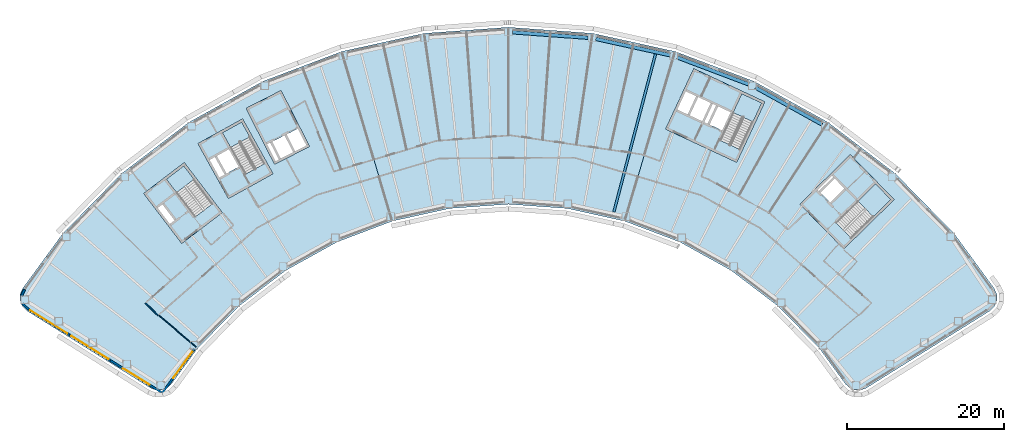
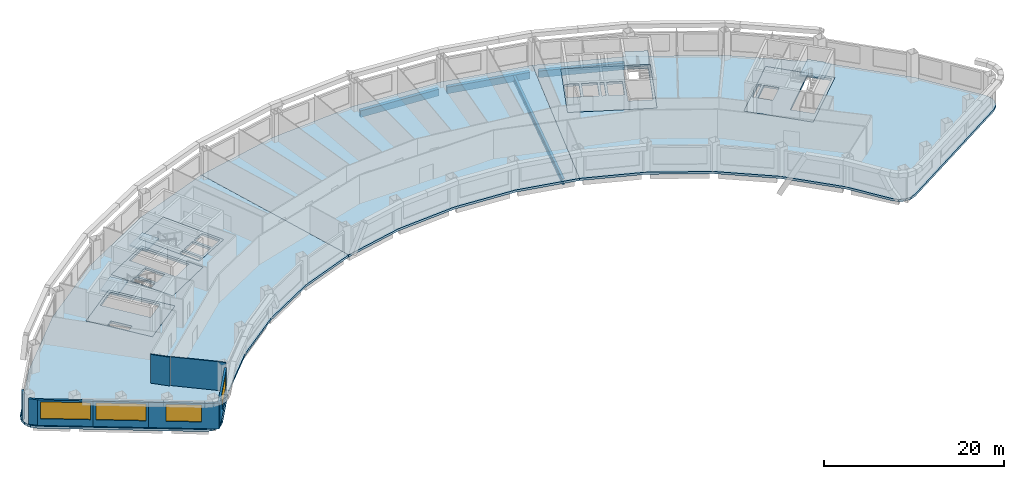
# One storey, part 2 of 11: 12 slabs, 8 walls, 5 beams, 4 windows, 4 openings, 4 elements without a shape of their own.
"""IFC4 building model written with IfcOpenShell, lengths in metres."""

from ifc_helpers import new_model, si_unit, direction, frame, frame_2d, origin, origin_2d, place, context, subcontext, project, spatial, polyline, rectangle, hollow_rectangle, i_section, outline, extrude, material, layer, layer_set, material_profile, profile_set, type_object, element, fill, aggregate, save


model = new_model("IFC4")

# Units and contexts
model_context = context("Model", 3, precision=1e-05, world=origin(), true_north=direction((0.0, 1.0)))
body_context = subcontext(model_context, "Body", "Model", "MODEL_VIEW")
ifc_project = project(units=[si_unit("LENGTHUNIT", "METRE"), si_unit("AREAUNIT", "SQUARE_METRE"), si_unit("VOLUMEUNIT", "CUBIC_METRE"), si_unit("PLANEANGLEUNIT", "RADIAN"), si_unit("MASSUNIT", "GRAM", prefix="KILO")], contexts=[model_context])

# Site, building, storey
site_placement = place(None, origin())
site = spatial("IfcSite", under=ifc_project, at=site_placement, CompositionType="ELEMENT")
building_placement = place(site_placement, origin())
building = spatial("IfcBuilding", under=site, at=building_placement, Name="Tuul Gate Civic Tower", CompositionType="ELEMENT")
storey_placement = place(building_placement, frame((0.0, 0.0, 142.39990234375)))
storey = spatial("IfcBuildingStorey", under=building, at=storey_placement, Name="Level 32", CompositionType="ELEMENT", Elevation=142.39990234375)

# Beams
ifc_material_1 = material(Name="Steel S355", Category="steel")
ifc_material_profile_1 = material_profile(ifc_material_1, i_section(OverallWidth=0.300048828125, OverallDepth=0.800048828125, WebThickness=0.013916015625, FlangeThickness=0.02490234375, at=origin_2d()), Name="PG800x300x14x25")
ifc_profile_set_1 = profile_set([ifc_material_profile_1], Name="Steel S355")
beam_type_1 = type_object("IfcBeamType", Name="STR-FLOOR BEAM-PG800x300x14x25", PredefinedType="BEAM", material=ifc_profile_set_1)
beam_1_placement = place(storey_placement, frame((18.8125, -13.7099609375, -0.699951171875), z_axis=(0.255004720301, 0.96693980817, 0.0), x_axis=(-0.96693980817, 0.255004720301, 0.0)))
element("IfcBeam", 1, at=beam_1_placement, inside=storey, type_object=beam_type_1, Name="Floor beam", PredefinedType="BEAM", context=body_context, shape_type="SweptSolid", body=[
    extrude(i_section(OverallWidth=0.300048828125, OverallDepth=0.800048828125, WebThickness=0.013916015625, FlangeThickness=0.02490234375, at=origin_2d()), origin(), (0.0, 0.0, 1.0), 20.817626953125),
])
ifc_material_2 = material(Name="Steel S355", Category="steel")
ifc_material_profile_2 = material_profile(ifc_material_2, hollow_rectangle(XDim=0.449951171875, YDim=0.89990234375, WallThickness=0.02490234375, at=origin_2d()), Name="BOX900x450x25")
ifc_profile_set_2 = profile_set([ifc_material_profile_2], Name="Steel S355")
beam_type_2 = type_object("IfcBeamType", Name="STR-SPANDREL BEAM-BOX900x450x25", PredefinedType="BEAM", material=ifc_profile_set_2)
beam_2_placement = place(storey_placement, frame((45.338623046875, -2.548583984375, -0.75), z_axis=(-0.874626955885, 0.484796542933, 0.0), x_axis=(-0.484796542933, -0.874626955885, 0.0)))
element("IfcBeam", 2, at=beam_2_placement, inside=storey, type_object=beam_type_2, Name="Spandrel beam", PredefinedType="BEAM", context=body_context, shape_type="SweptSolid", body=[
    extrude(hollow_rectangle(XDim=0.449951171875, YDim=0.89990234375, WallThickness=0.02490234375, at=origin_2d()), origin(), (0.0, 0.0, 1.0), 9.676513671875),
])
beam_3_placement = place(storey_placement, frame((35.97021484375, 2.561767578125, -0.75), z_axis=(-0.935339508416, 0.353751330735, 0.0), x_axis=(-0.353751330735, -0.935339508416, 0.0)))
element("IfcBeam", 3, at=beam_3_placement, inside=storey, type_object=beam_type_2, Name="Spandrel beam", PredefinedType="BEAM", context=body_context, shape_type="SweptSolid", body=[
    extrude(hollow_rectangle(XDim=0.449951171875, YDim=0.89990234375, WallThickness=0.02490234375, at=origin_2d()), origin(), (0.0, 0.0, 1.0), 9.67724609375),
])
beam_4_placement = place(storey_placement, frame((25.962646484375, 6.26953125, -0.75), z_axis=(-0.976569557508, 0.215201996619, 0.0), x_axis=(-0.215201996619, -0.976569557508, 0.0)))
element("IfcBeam", 4, at=beam_4_placement, inside=storey, type_object=beam_type_2, Name="Spandrel beam", PredefinedType="BEAM", context=body_context, shape_type="SweptSolid", body=[
    extrude(hollow_rectangle(XDim=0.449951171875, YDim=0.89990234375, WallThickness=0.02490234375, at=origin_2d()), origin(), (0.0, 0.0, 1.0), 9.67822265625),
])
beam_5_placement = place(storey_placement, frame((15.5244140625, 8.49609375, -0.75), z_axis=(-0.997382449667, 0.072306632453, 0.0), x_axis=(-0.072306632453, -0.997382449667, 0.0)))
element("IfcBeam", 5, at=beam_5_placement, inside=storey, type_object=beam_type_2, Name="Spandrel beam", PredefinedType="BEAM", context=body_context, shape_type="SweptSolid", body=[
    extrude(hollow_rectangle(XDim=0.449951171875, YDim=0.89990234375, WallThickness=0.02490234375, at=origin_2d()), origin(), (0.0, 0.0, 1.0), 9.677001953125),
])

# Slabs
ifc_material_3 = material(Name="Concrete C40/50", Category="concrete")
ifc_layer_1 = layer(ifc_material_3, 0.300048828125)
ifc_layer_set_1 = layer_set([ifc_layer_1], Name="Concrete C40/50")
slab_type_1 = type_object("IfcSlabType", Name="Core floor slab 300", PredefinedType="FLOOR", material=ifc_layer_set_1)
slab_1_placement = place(storey_placement, frame((0.0, 0.0, -0.2998046875)))
element("IfcSlab", 6, at=slab_1_placement, inside=storey, type_object=slab_type_1, Name="FLOOR SLAB", PredefinedType="FLOOR", context=body_context, shape_type="SweptSolid", body=[
    extrude(outline(polyline([(-31.10009765625, -13.7890625), (-35.946044921875, -7.423828125), (-41.11767578125, -11.361572265625), (-36.271484375, -17.726806640625), (-31.10009765625, -13.7890625)]), holes=[polyline([(-37.19287109375, -14.783203125), (-38.737548828125, -12.75439453125), (-39.45361328125, -13.299560546875), (-37.908935546875, -15.328369140625), (-37.19287109375, -14.783203125)]), polyline([(-32.33935546875, -12.65771484375), (-34.56591796875, -14.352783203125), (-38.229736328125, -9.54052734375), (-36.003173828125, -7.845458984375), (-32.33935546875, -12.65771484375)])]), origin(), (0.0, 0.0, 1.0), 0.2998046875),
])
slab_2_placement = place(storey_placement, frame((0.0, 0.0, -0.2998046875)))
element("IfcSlab", 7, at=slab_2_placement, inside=storey, type_object=slab_type_1, Name="FLOOR SLAB", PredefinedType="FLOOR", context=body_context, shape_type="SweptSolid", body=[
    extrude(outline(polyline([(-24.638916015625, -8.846923828125), (-28.51708984375, -1.849853515625), (-34.2021484375, -5.0009765625), (-30.32421875, -11.998046875), (-24.638916015625, -8.846923828125)]), holes=[polyline([(-29.0185546875, -7.958740234375), (-30.254638671875, -5.728515625), (-31.785400390625, -6.576904296875), (-30.54931640625, -8.80712890625), (-29.0185546875, -7.958740234375)]), polyline([(-30.8115234375, -8.95263671875), (-32.047607421875, -6.72216796875), (-32.8349609375, -7.158447265625), (-31.5986328125, -9.388916015625), (-30.8115234375, -8.95263671875)]), polyline([(-25.702392578125, -7.548828125), (-28.14990234375, -8.905517578125), (-31.08203125, -3.615234375), (-28.63427734375, -2.2587890625), (-25.702392578125, -7.548828125)])]), origin(), (0.0, 0.0, 1.0), 0.2998046875),
])
slab_3_placement = place(storey_placement, frame((0.0, 0.0, -0.2998046875)))
element("IfcSlab", 8, at=slab_3_placement, inside=storey, type_object=slab_type_1, Name="FLOOR SLAB", PredefinedType="FLOOR", context=body_context, shape_type="SweptSolid", body=[
    extrude(outline(polyline([(48.117919921875, -18.43310546875), (54.545166015625, -12.1328125), (48.945068359375, -6.419921875), (42.517822265625, -12.719970703125), (48.117919921875, -18.43310546875)]), holes=[polyline([(46.373779296875, -12.510986328125), (48.19482421875, -10.725830078125), (46.969970703125, -9.47607421875), (45.14892578125, -11.26123046875), (46.373779296875, -12.510986328125)]), polyline([(44.93896484375, -11.046875), (46.760009765625, -9.261962890625), (46.514892578125, -9.011962890625), (44.69384765625, -10.797119140625), (44.93896484375, -11.046875)]), polyline([(49.086181640625, -17.062744140625), (47.12744140625, -15.064208984375), (52.160888671875, -10.130126953125), (54.11962890625, -12.128662109375), (49.086181640625, -17.062744140625)])]), origin(), (0.0, 0.0, 1.0), 0.2998046875),
])
slab_4_placement = place(storey_placement, frame((0.0, 0.0, -0.2998046875)))
element("IfcSlab", 9, at=slab_4_placement, inside=storey, type_object=slab_type_1, Name="FLOOR SLAB", PredefinedType="FLOOR", context=body_context, shape_type="SweptSolid", body=[
    extrude(outline(polyline([(34.465087890625, -7.385986328125), (38.056884765625, 0.31787109375), (28.993896484375, 4.543701171875), (25.40185546875, -3.159912109375), (34.465087890625, -7.385986328125)]), holes=[polyline([(32.60888671875, -3.32080078125), (33.6865234375, -1.009765625), (32.1005859375, -0.27001953125), (31.02294921875, -2.581298828125), (32.60888671875, -3.32080078125)]), polyline([(30.0712890625, -2.137451171875), (31.14892578125, 0.173583984375), (29.562744140625, 0.9130859375), (28.4853515625, -1.39794921875), (30.0712890625, -2.137451171875)]), polyline([(30.751220703125, -2.454345703125), (31.82861328125, -0.143310546875), (31.4208984375, 0.046875), (30.34326171875, -2.264404296875), (30.751220703125, -2.454345703125)]), polyline([(28.21337890625, -1.27099609375), (29.291015625, 1.0400390625), (27.8408203125, 1.71630859375), (26.76318359375, -0.594970703125), (28.21337890625, -1.27099609375)]), polyline([(34.889892578125, -5.7626953125), (32.353759765625, -4.580078125), (35.120849609375, 1.354736328125), (37.6572265625, 0.17236328125), (34.889892578125, -5.7626953125)])]), origin(), (0.0, 0.0, 1.0), 0.2998046875),
])
ifc_material_4 = material(Name="Concrete C40/50", Category="concrete")
ifc_layer_2 = layer(ifc_material_4, 0.300048828125)
ifc_layer_set_2 = layer_set([ifc_layer_2], Name="Concrete C40/50")
slab_type_2 = type_object("IfcSlabType", Name="Core floor slab 300 non-bearing", PredefinedType="FLOOR", material=ifc_layer_set_2)
slab_5_placement = place(storey_placement, frame((0.0, 0.0, -0.2998046875)))
element("IfcSlab", 10, at=slab_5_placement, inside=storey, type_object=slab_type_2, Name="FLOOR SLAB", PredefinedType="FLOOR", context=body_context, shape_type="SweptSolid", body=[
    extrude(outline(polyline([(-19.98095703125, -5.365966796875), (-23.613037109375, 1.761962890625), (-28.068115234375, -0.508056640625), (-24.43603515625, -7.635986328125), (-19.98095703125, -5.365966796875)]), holes=[polyline([(-20.384521484375, -5.23486328125), (-21.47412109375, -3.096435546875), (-22.899658203125, -3.822998046875), (-21.81005859375, -5.961181640625), (-20.384521484375, -5.23486328125)]), polyline([(-22.077392578125, -6.097412109375), (-23.1669921875, -3.958984375), (-24.726318359375, -4.753662109375), (-23.63671875, -6.89208984375), (-22.077392578125, -6.097412109375)]), polyline([(-23.8359375, -7.161865234375), (-24.99365234375, -4.889892578125), (-25.5283203125, -5.162109375), (-24.37060546875, -7.434326171875), (-23.8359375, -7.161865234375)])]), origin(), (0.0, 0.0, 1.0), 0.2998046875),
])

# Stair, slab
ifc_material_5 = material(Name="Concrete C40/50", Category="concrete")
stair_type = type_object("IfcStairType", Name="Exit stair", PredefinedType="HALF_TURN_STAIR", material=ifc_material_5)
stair_1_placement = place(storey_placement, origin())
stair_1 = element("IfcStair", 11, at=stair_1_placement, inside=storey, type_object=stair_type, Name="Level 32 ST-1", PredefinedType="HALF_TURN_STAIR")
ifc_material_6 = material(Name="Concrete C40/50", Category="concrete")
ifc_layer_3 = layer(ifc_material_6, 0.199951171875)
ifc_layer_set_3 = layer_set([ifc_layer_3], Name="Concrete C40/50")
slab_type_3 = type_object("IfcSlabType", Name="Exit stair landing", PredefinedType="LANDING", material=ifc_layer_set_3)
slab_6_placement = place(storey_placement, frame((0.0, 0.0, 1.900146484375)))
slab_6 = element("IfcSlab", 12, at=slab_6_placement, type_object=slab_type_3, Name="ST-1 landing 1", PredefinedType="LANDING", context=body_context, shape_type="SweptSolid", body=[
    extrude(outline(polyline([(-34.699462890625, -9.554931640625), (-36.9287109375, -11.252197265625), (-38.23193359375, -9.540283203125), (-36.0029296875, -7.843017578125), (-34.699462890625, -9.554931640625)])), origin(), (0.0, 0.0, 1.0), 0.199951171875),
])
aggregate(stair_1, [slab_6])

stair_2_placement = place(storey_placement, origin())
stair_2 = element("IfcStair", 13, at=stair_2_placement, inside=storey, type_object=stair_type, Name="Level 32 ST-2", PredefinedType="HALF_TURN_STAIR")
slab_7_placement = place(storey_placement, frame((0.0, 0.0, 1.900146484375)))
slab_7 = element("IfcSlab", 14, at=slab_7_placement, type_object=slab_type_3, Name="ST-2 landing 1", PredefinedType="LANDING", context=body_context, shape_type="SweptSolid", body=[
    extrude(outline(polyline([(-27.5908203125, -4.138427734375), (-30.041015625, -5.49658203125), (-31.084228515625, -3.61474609375), (-28.6337890625, -2.256591796875), (-27.5908203125, -4.138427734375)])), origin(), (0.0, 0.0, 1.0), 0.199951171875),
])
aggregate(stair_2, [slab_7])

stair_3_placement = place(storey_placement, origin())
stair_3 = element("IfcStair", 15, at=stair_3_placement, inside=storey, type_object=stair_type, Name="Level 32 ST-3", PredefinedType="HALF_TURN_STAIR")
slab_8_placement = place(storey_placement, frame((0.0, 0.0, 1.900146484375)))
slab_8 = element("IfcSlab", 16, at=slab_8_placement, type_object=slab_type_3, Name="ST-3 landing 1", PredefinedType="LANDING", context=body_context, shape_type="SweptSolid", body=[
    extrude(outline(polyline([(51.871337890625, -14.3349609375), (49.91015625, -12.334228515625), (52.160888671875, -10.1279296875), (54.1220703125, -12.128662109375), (51.871337890625, -14.3349609375)])), origin(), (0.0, 0.0, 1.0), 0.199951171875),
])
aggregate(stair_3, [slab_8])

stair_4_placement = place(storey_placement, origin())
stair_4 = element("IfcStair", 17, at=stair_4_placement, inside=storey, type_object=stair_type, Name="Level 32 ST-4", PredefinedType="HALF_TURN_STAIR")
slab_9_placement = place(storey_placement, frame((0.0, 0.0, 1.900146484375)))
slab_9 = element("IfcSlab", 18, at=slab_9_placement, type_object=slab_type_3, Name="ST-4 landing 1", PredefinedType="LANDING", context=body_context, shape_type="SweptSolid", body=[
    extrude(outline(polyline([(36.538818359375, -2.230224609375), (33.999755859375, -1.046142578125), (35.1201171875, 1.35693359375), (37.659423828125, 0.173095703125), (36.538818359375, -2.230224609375)])), origin(), (0.0, 0.0, 1.0), 0.199951171875),
])
aggregate(stair_4, [slab_9])

# Slabs
ifc_material_7 = material(Name="Concrete C35/45", Category="concrete")
ifc_layer_4 = layer(ifc_material_7, 0.300048828125)
ifc_layer_set_4 = layer_set([ifc_layer_4], Name="Concrete C35/45")
slab_type_4 = type_object("IfcSlabType", Name="STR-FLOOR-SLAB-300", PredefinedType="FLOOR", material=ifc_layer_set_4)
slab_10_placement = place(storey_placement, frame((0.0, 0.0, -0.2998046875)))
element("IfcSlab", 19, at=slab_10_placement, inside=storey, type_object=slab_type_4, Name="Level 32/slab/W", PredefinedType="FLOOR", context=body_context, shape_type="SweptSolid", body=[
    extrude(outline(polyline([(-16.4599609375, -17.5380859375), (-9.43994140625, -14.883056640625), (-15.8740234375, 6.739013671875), (-25.943115234375, 2.930908203125), (-35.35693359375, -2.287109375), (-43.922119140625, -8.80810546875), (-51.45703125, -16.4951171875), (-56.537109375, -23.451904296875), (-56.8740234375, -24.195068359375), (-56.885986328125, -25.010009765625), (-56.571044921875, -25.762939453125), (-55.98193359375, -26.326904296875), (-40.251953125, -36.156005859375), (-39.55810546875, -36.427001953125), (-38.81298828125, -36.424072265625), (-38.12109375, -36.14892578125), (-37.576904296875, -35.639892578125), (-34.248046875, -31.08203125), (-28.9951171875, -25.721923828125), (-23.02392578125, -21.176025390625), (-16.4599609375, -17.5380859375)]), holes=[polyline([(-31.10009765625, -13.7890625), (-36.27197265625, -17.72705078125), (-41.117919921875, -11.362060546875), (-35.946044921875, -7.424072265625), (-31.10009765625, -13.7890625)]), polyline([(-24.638916015625, -8.846923828125), (-30.323974609375, -11.998046875), (-34.201904296875, -5.0009765625), (-28.51708984375, -1.85009765625), (-24.638916015625, -8.846923828125)]), polyline([(-24.43603515625, -7.635986328125), (-28.068115234375, -0.508056640625), (-23.613037109375, 1.761962890625), (-19.98095703125, -5.365966796875), (-24.43603515625, -7.635986328125)])]), origin(), (0.0, 0.0, 1.0), 0.2998046875),
])
slab_11_placement = place(storey_placement, frame((0.0, 0.0, -0.2998046875)))
element("IfcSlab", 20, at=slab_11_placement, inside=storey, type_object=slab_type_4, Name="Level 32/slab/M", PredefinedType="FLOOR", context=body_context, shape_type="SweptSolid", body=[
    extrude(outline(polyline([(20.18798828125, -14.883056640625), (26.6220703125, 6.739013671875), (16.110107421875, 9.054931640625), (5.3740234375, 9.8330078125), (-5.362060546875, 9.054931640625), (-15.8740234375, 6.739013671875), (-9.43994140625, -14.883056640625), (-2.111083984375, -13.26806640625), (5.3740234375, -12.72607421875), (12.85888671875, -13.26806640625), (20.18798828125, -14.883056640625)])), origin(), (0.0, 0.0, 1.0), 0.2998046875),
])
slab_12_placement = place(storey_placement, frame((0.0, 0.0, -0.2998046875)))
element("IfcSlab", 21, at=slab_12_placement, inside=storey, type_object=slab_type_4, Name="Level 32/slab/E", PredefinedType="FLOOR", context=body_context, shape_type="SweptSolid", body=[
    extrude(outline(polyline([(50.305908203125, -36.427001953125), (51.0, -36.156005859375), (66.72998046875, -26.326904296875), (67.319091796875, -25.762939453125), (67.634033203125, -25.010009765625), (67.6220703125, -24.195068359375), (67.284912109375, -23.451904296875), (62.205078125, -16.4951171875), (54.669921875, -8.80810546875), (46.10498046875, -2.287109375), (36.69091796875, 2.930908203125), (26.6220703125, 6.739013671875), (20.18798828125, -14.883056640625), (27.2080078125, -17.5380859375), (33.77197265625, -21.176025390625), (39.742919921875, -25.721923828125), (44.99609375, -31.08203125), (48.324951171875, -35.639892578125), (48.868896484375, -36.14892578125), (49.56103515625, -36.424072265625), (50.305908203125, -36.427001953125)]), holes=[polyline([(48.117919921875, -18.43310546875), (42.51806640625, -12.719970703125), (48.945068359375, -6.419921875), (54.544921875, -12.133056640625), (48.117919921875, -18.43310546875)]), polyline([(25.402099609375, -3.159912109375), (28.993896484375, 4.5439453125), (38.056884765625, 0.318115234375), (34.465087890625, -7.385986328125), (25.402099609375, -3.159912109375)])]), origin(), (0.0, 0.0, 1.0), 0.2998046875),
])

# Walls
ifc_material_8 = material(Name="Gypsum board partition")
ifc_layer_5 = layer(ifc_material_8, 0.14990234375)
ifc_layer_set_5 = layer_set([ifc_layer_5], Name="Gypsum board partition")
wall_type_1 = type_object("IfcWallType", Name="Corridor wall P150", PredefinedType="PARTITIONING", material=ifc_layer_set_5)
wall_1_placement = place(storey_placement, frame((-40.899658203125, -25.33203125, 0.0), z_axis=(0.0, 0.0, 1.0), x_axis=(0.711595524891, -0.702589360121, 0.0)))
element("IfcWall", 22, at=wall_1_placement, inside=storey, type_object=wall_type_1, Name="p046", PredefinedType="PARTITIONING", context=body_context, shape_type="SweptSolid", body=[
    extrude(rectangle(XDim=2.25, YDim=0.14990234375, at=frame_2d((1.125, 0.0))), origin(), (0.0, 0.0, 1.0), 3.900146484375),
])
ifc_material_9 = material(Name="Precast concrete C40/50", Category="concrete")
ifc_layer_6 = layer(ifc_material_9, 0.25)
ifc_layer_set_6 = layer_set([ifc_layer_6], Name="Precast concrete C40/50")
wall_type_2 = type_object("IfcWallType", Name="External wall", PredefinedType="STANDARD", material=ifc_layer_set_6)
wall_2_placement = place(storey_placement, frame((-56.30224609375, -23.591796875, 0.0), z_axis=(0.0, 0.0, 1.0), x_axis=(-0.41355333093, -0.9104798968, 0.0)))
element("IfcWall", 23, at=wall_2_placement, inside=storey, type_object=wall_type_2, Name="External wall", PredefinedType="STANDARD", context=body_context, shape_type="SweptSolid", body=[
    extrude(rectangle(XDim=0.88427734375, YDim=0.25, at=frame_2d((0.442138671875, 0.0))), origin(), (0.0, 0.0, 1.0), 3.4501953125),
])
wall_3_placement = place(storey_placement, frame((-56.560546875, -25.39697265625, 0.0), z_axis=(0.0, 0.0, 1.0), x_axis=(0.722111514746, -0.691776669361, 0.0)))
element("IfcWall", 24, at=wall_3_placement, inside=storey, type_object=wall_type_2, Name="External wall", PredefinedType="STANDARD", context=body_context, shape_type="SweptSolid", body=[
    extrude(rectangle(XDim=1.0302734375, YDim=0.25, at=frame_2d((0.51513671875, 0.0))), origin(), (0.0, 0.0, 1.0), 3.4501953125),
])

# Wall, opening, window
wall_4_placement = place(storey_placement, frame((-55.836669921875, -26.093994140625, 0.0), z_axis=(0.0, 0.0, 1.0), x_axis=(0.848042669488, -0.529927948619, 0.0)))
wall_4 = element("IfcWall", 25, at=wall_4_placement, inside=storey, type_object=wall_type_2, Name="External wall", PredefinedType="STANDARD", context=body_context, shape_type="SweptSolid", body=[
    extrude(rectangle(XDim=6.1826171875, YDim=0.25, at=frame_2d((3.09130859375, 0.0))), origin(), (0.0, 0.0, 1.0), 3.4501953125),
])
opening_1_placement = place(wall_4_placement, frame((0.31640625, 0.0, 0.89990234375)))
opening_1 = element("IfcOpeningElement", 26, at=opening_1_placement, cuts=wall_4, Name="Opening W24", PredefinedType="OPENING", context=body_context, shape_type="SweptSolid", body=[
    extrude(rectangle(XDim=5.550048828125, YDim=2.300048828125, at=frame_2d((2.77490234375, 1.14990234375))), frame((0.0, 0.135009765625, 0.0), z_axis=(0.0, -1.0, 0.0), x_axis=(1.0, 0.0, 0.0)), (0.0, 0.0, 1.0), 0.27001953125),
])
ifc_material_10 = material(Name="Glass", Category="glass")
window_type_1 = type_object("IfcWindowType", Name="Window W24 5550 x 2300", PartitioningType="SINGLE_PANEL", PredefinedType="WINDOW", material=ifc_material_10)
window_1_placement = place(opening_1_placement, origin())
window_1 = element("IfcWindow", 27, at=window_1_placement, inside=storey, type_object=window_type_1, Name="Window", OverallHeight=2.300048828125, OverallWidth=5.550048828125, PartitioningType="SINGLE_PANEL", PredefinedType="WINDOW", context=body_context, shape_type="SweptSolid", body=[
    extrude(rectangle(XDim=5.550048828125, YDim=2.300048828125, at=frame_2d((2.77490234375, 1.14990234375))), frame((0.0, 0.030029296875, 0.0), z_axis=(0.0, -1.0, 0.0), x_axis=(1.0, 0.0, 0.0)), (0.0, 0.0, 1.0), 0.06005859375),
])
fill(opening_1, window_1)

wall_5_placement = place(storey_placement, frame((-50.593505859375, -29.370361328125, 0.0), z_axis=(0.0, 0.0, 1.0), x_axis=(0.848053758074, -0.529910203164, 0.0)))
wall_5 = element("IfcWall", 28, at=wall_5_placement, inside=storey, type_object=wall_type_2, Name="External wall", PredefinedType="STANDARD", context=body_context, shape_type="SweptSolid", body=[
    extrude(rectangle(XDim=6.182861328125, YDim=0.25, at=frame_2d((3.09130859375, 0.0))), origin(), (0.0, 0.0, 1.0), 3.4501953125),
])
opening_2_placement = place(wall_5_placement, frame((0.31640625, 0.0, 0.89990234375)))
opening_2 = element("IfcOpeningElement", 29, at=opening_2_placement, cuts=wall_5, Name="Opening W24", PredefinedType="OPENING", context=body_context, shape_type="SweptSolid", body=[
    extrude(rectangle(XDim=5.550048828125, YDim=2.300048828125, at=frame_2d((2.77490234375, 1.14990234375))), frame((0.0, 0.135009765625, 0.0), z_axis=(0.0, -1.0, 0.0), x_axis=(1.0, 0.0, 0.0)), (0.0, 0.0, 1.0), 0.27001953125),
])
window_2_placement = place(opening_2_placement, origin())
window_2 = element("IfcWindow", 30, at=window_2_placement, inside=storey, type_object=window_type_1, Name="Window", OverallHeight=2.300048828125, OverallWidth=5.550048828125, PartitioningType="SINGLE_PANEL", PredefinedType="WINDOW", context=body_context, shape_type="SweptSolid", body=[
    extrude(rectangle(XDim=5.550048828125, YDim=2.300048828125, at=frame_2d((2.77490234375, 1.14990234375))), frame((0.0, 0.030029296875, 0.0), z_axis=(0.0, -1.0, 0.0), x_axis=(1.0, 0.0, 0.0)), (0.0, 0.0, 1.0), 0.06005859375),
])
fill(opening_2, window_2)

wall_6_placement = place(storey_placement, frame((-45.35009765625, -32.646728515625, 0.0), z_axis=(0.0, 0.0, 1.0), x_axis=(0.848051131154, -0.529914407191, 0.0)))
wall_6 = element("IfcWall", 31, at=wall_6_placement, inside=storey, type_object=wall_type_2, Name="External wall", PredefinedType="STANDARD", context=body_context, shape_type="SweptSolid", body=[
    extrude(rectangle(XDim=7.788330078125, YDim=0.25, at=frame_2d((3.89404296875, 0.0))), origin(), (0.0, 0.0, 1.0), 3.4501953125),
])
opening_3_placement = place(wall_6_placement, frame((1.89697265625, 0.0, 0.89990234375)))
opening_3 = element("IfcOpeningElement", 32, at=opening_3_placement, cuts=wall_6, Name="Opening W113", PredefinedType="OPENING", context=body_context, shape_type="SweptSolid", body=[
    extrude(rectangle(XDim=3.949951171875, YDim=2.300048828125, at=frame_2d((1.97509765625, 1.14990234375))), frame((0.0, 0.135009765625, 0.0), z_axis=(0.0, -1.0, 0.0), x_axis=(1.0, 0.0, 0.0)), (0.0, 0.0, 1.0), 0.27001953125),
])
ifc_material_11 = material(Name="Glass", Category="glass")
window_type_2 = type_object("IfcWindowType", Name="Window W113 3950 x 2300", PartitioningType="SINGLE_PANEL", PredefinedType="WINDOW", material=ifc_material_11)
window_3_placement = place(opening_3_placement, origin())
window_3 = element("IfcWindow", 33, at=window_3_placement, inside=storey, type_object=window_type_2, Name="Window", OverallHeight=2.300048828125, OverallWidth=3.949951171875, PartitioningType="SINGLE_PANEL", PredefinedType="WINDOW", context=body_context, shape_type="SweptSolid", body=[
    extrude(rectangle(XDim=3.949951171875, YDim=2.300048828125, at=frame_2d((1.97509765625, 1.14990234375))), frame((0.0, 0.030029296875, 0.0), z_axis=(0.0, -1.0, 0.0), x_axis=(1.0, 0.0, 0.0)), (0.0, 0.0, 1.0), 0.06005859375),
])
fill(opening_3, window_3)

wall_7_placement = place(storey_placement, frame((-38.7451171875, -36.77392578125, 0.0), z_axis=(0.0, 0.0, 1.0), x_axis=(0.589748164831, 0.8075872102, 0.0)))
wall_7 = element("IfcWall", 34, at=wall_7_placement, inside=storey, type_object=wall_type_2, Name="External wall", PredefinedType="STANDARD", context=body_context, shape_type="SweptSolid", body=[
    extrude(rectangle(XDim=6.910400390625, YDim=0.25, at=frame_2d((3.455078125, 0.0))), origin(), (0.0, 0.0, 1.0), 3.4501953125),
])
opening_4_placement = place(wall_7_placement, frame((2.356689453125, 0.0, 0.89990234375)))
opening_4 = element("IfcOpeningElement", 35, at=opening_4_placement, cuts=wall_7, Name="Opening W25", PredefinedType="OPENING", context=body_context, shape_type="SweptSolid", body=[
    extrude(rectangle(XDim=4.14990234375, YDim=2.300048828125, at=frame_2d((2.074951171875, 1.14990234375))), frame((0.0, 0.135009765625, 0.0), z_axis=(0.0, -1.0, 0.0), x_axis=(1.0, 0.0, 0.0)), (0.0, 0.0, 1.0), 0.27001953125),
])
ifc_material_12 = material(Name="Glass", Category="glass")
window_type_3 = type_object("IfcWindowType", Name="Window W25 4150 x 2300", PartitioningType="SINGLE_PANEL", PredefinedType="WINDOW", material=ifc_material_12)
window_4_placement = place(opening_4_placement, origin())
window_4 = element("IfcWindow", 36, at=window_4_placement, inside=storey, type_object=window_type_3, Name="Window", OverallHeight=2.300048828125, OverallWidth=4.14990234375, PartitioningType="SINGLE_PANEL", PredefinedType="WINDOW", context=body_context, shape_type="SweptSolid", body=[
    extrude(rectangle(XDim=4.14990234375, YDim=2.300048828125, at=frame_2d((2.074951171875, 1.14990234375))), frame((0.0, 0.030029296875, 0.0), z_axis=(0.0, -1.0, 0.0), x_axis=(1.0, 0.0, 0.0)), (0.0, 0.0, 1.0), 0.06005859375),
])
fill(opening_4, window_4)

# Wall
ifc_material_13 = material(Name="Gypsum board partition")
ifc_layer_7 = layer(ifc_material_13, 0.10009765625)
ifc_layer_set_7 = layer_set([ifc_layer_7], Name="Gypsum board partition")
wall_type_3 = type_object("IfcWallType", Name="Partition P100", PredefinedType="PARTITIONING", material=ifc_layer_set_7)
wall_8_placement = place(storey_placement, frame((-39.23388671875, -26.855712890625, 0.0), z_axis=(0.0, 0.0, 1.0), x_axis=(0.762815458865, -0.646616250736, 0.0)))
element("IfcWall", 37, at=wall_8_placement, inside=storey, type_object=wall_type_3, Name="p045", PredefinedType="PARTITIONING", context=body_context, shape_type="SweptSolid", body=[
    extrude(rectangle(XDim=6.265380859375, YDim=0.10009765625, at=frame_2d((3.1328125, 0.0))), origin(), (0.0, 0.0, 1.0), 3.900146484375),
])

save(model, "model.ifc")
